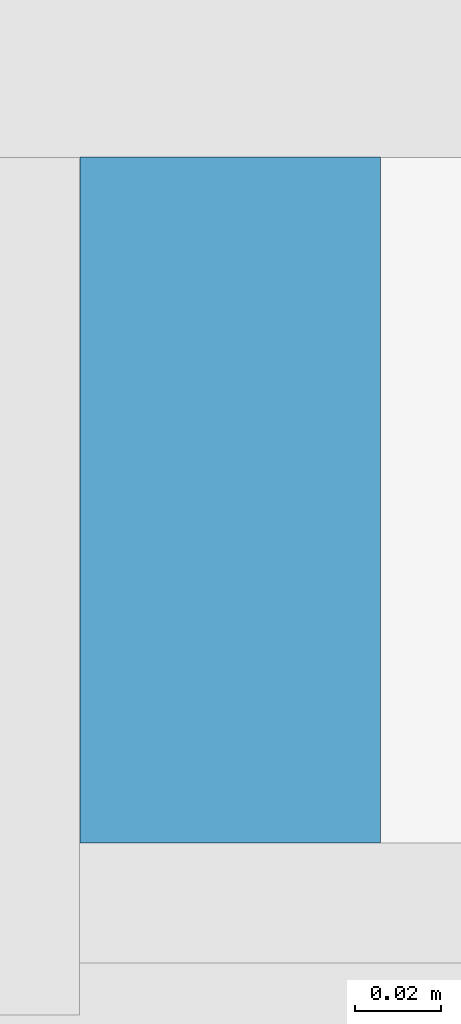
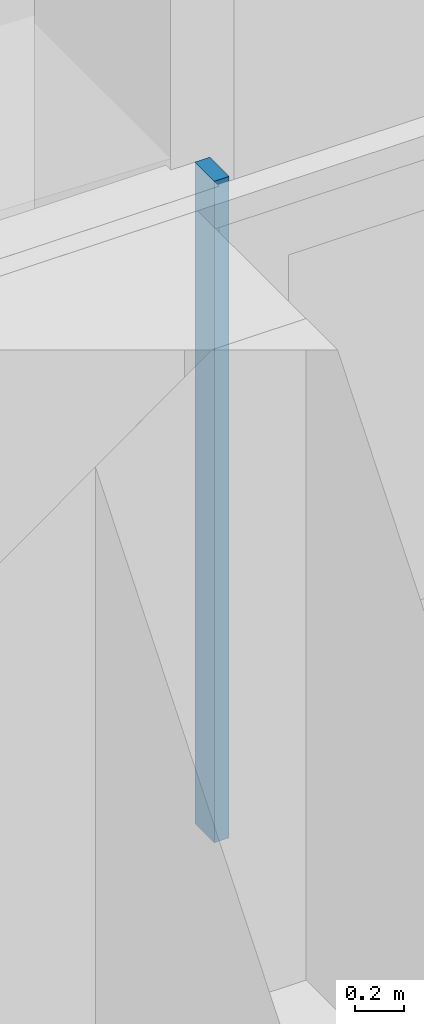
# One storey, part 13 of 30: 1 member, 1 element without a shape of its own.
"""IFC4 building model written with IfcOpenShell, lengths in metres."""

from ifc_helpers import new_model, si_unit, direction, frame, origin, origin_2d, place, context, subcontext, project, spatial, rectangle, extrude, material, material_profile, profile_set, type_object, element, aggregate, save


model = new_model("IFC4")

# Units and contexts
model_context = context("Model", 3, precision=1e-05, world=origin(), true_north=direction((0.0, 1.0)))
body_context = subcontext(model_context, "Body", "Model", "MODEL_VIEW")
ifc_project = project(units=[si_unit("LENGTHUNIT", "METRE"), si_unit("AREAUNIT", "SQUARE_METRE"), si_unit("VOLUMEUNIT", "CUBIC_METRE"), si_unit("PLANEANGLEUNIT", "RADIAN"), si_unit("MASSUNIT", "GRAM", prefix="KILO")], contexts=[model_context])

# Site, building, storey
site_placement = place(None, origin())
site = spatial("IfcSite", under=ifc_project, at=site_placement, CompositionType="ELEMENT")
building_placement = place(site_placement, origin())
building = spatial("IfcBuilding", under=site, at=building_placement, Name="Saffron Gate Tower", CompositionType="ELEMENT")
storey_placement = place(building_placement, frame((0.0, 0.0, 95.25)))
storey = spatial("IfcBuildingStorey", under=building, at=storey_placement, Name="L21", CompositionType="ELEMENT", Elevation=95.25)

# Curtain wall, member
ifc_material = material(Name="Aluminium, bronze anodised", Category="aluminium")
curtain_wall_type = type_object("IfcCurtainWallType", Name="CWS3 curtain wall rear facade", PredefinedType="NOTDEFINED", material=ifc_material)
curtain_wall_placement = place(storey_placement, origin())
curtain_wall = element("IfcCurtainWall", 1, at=curtain_wall_placement, inside=storey, type_object=curtain_wall_type, Name="CWS3 run 7", PredefinedType="NOTDEFINED")
ifc_material_profile = material_profile(ifc_material, rectangle(XDim=0.159912109375, YDim=0.070068359375, at=origin_2d()))
ifc_profile_set = profile_set([ifc_material_profile], Name="Aluminium, bronze anodised")
member_type = type_object("IfcMemberType", Name="CWS3 mullion 70x160", PredefinedType="MULLION", material=ifc_profile_set)
member_placement = place(storey_placement, frame((108.60009765625, 75.52001953125, 0.0), z_axis=(0.0, 0.0, 1.0), x_axis=(0.0, -1.0, 0.0)))
member = element("IfcMember", 2, at=member_placement, type_object=member_type, Name="CWS3 mullion 3", PredefinedType="MULLION", context=body_context, shape_type="SweptSolid", body=[
    extrude(rectangle(XDim=0.159912109375, YDim=0.070068359375, at=origin_2d()), origin(), (0.0, 0.0, 1.0), 3.320068359375),
])
aggregate(curtain_wall, [member])

save(model, "model.ifc")
